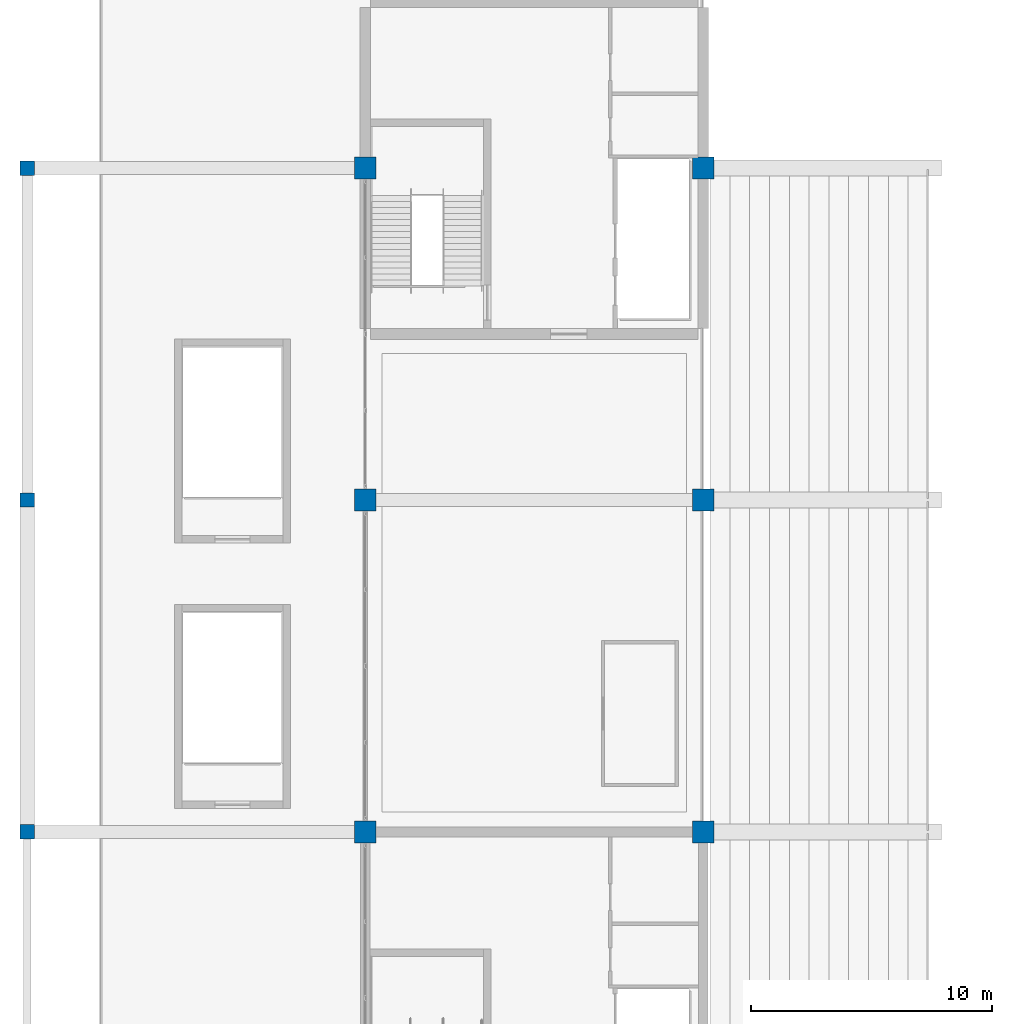
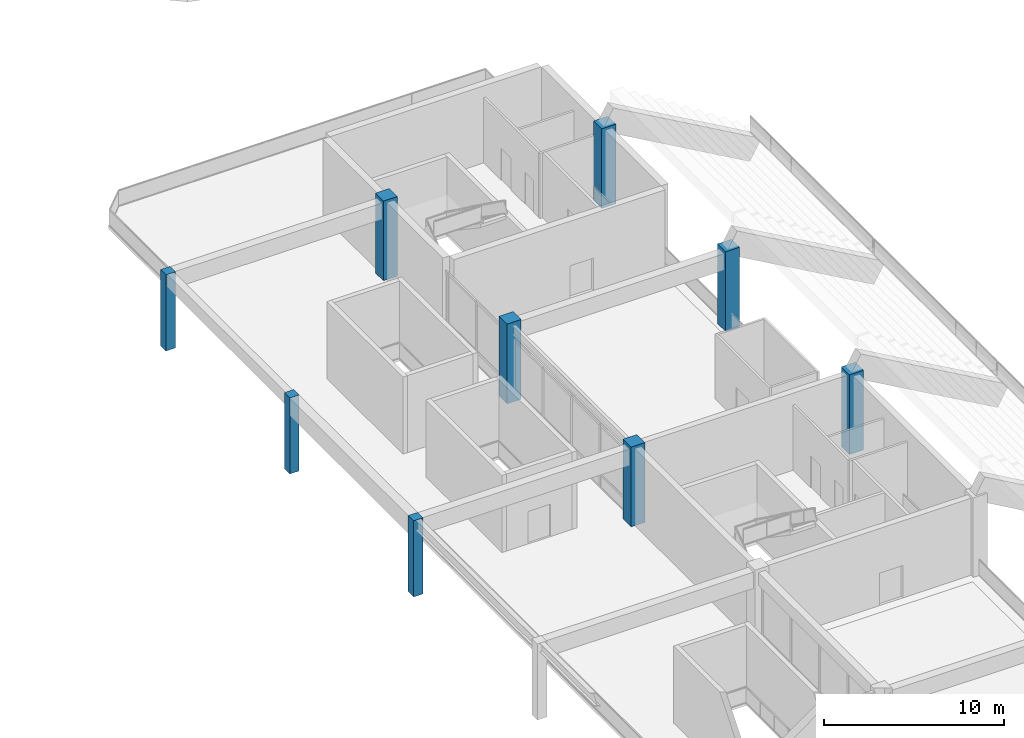
# One storey, part 4 of 90: 9 columns.
"""IFC4 building model written with IfcOpenShell, lengths in metres."""

from ifc_helpers import new_model, si_unit, direction, frame, origin, origin_2d, place, context, subcontext, project, spatial, rectangle, extrude, material, material_profile, profile_set, type_object, element, save


model = new_model("IFC4")

# Units and contexts
model_context = context("Model", 3, precision=1e-05, world=origin(), true_north=direction((0.0, 1.0)))
body_context = subcontext(model_context, "Body", "Model", "MODEL_VIEW")
ifc_project = project(units=[si_unit("LENGTHUNIT", "METRE"), si_unit("AREAUNIT", "SQUARE_METRE"), si_unit("VOLUMEUNIT", "CUBIC_METRE"), si_unit("PLANEANGLEUNIT", "RADIAN"), si_unit("MASSUNIT", "GRAM", prefix="KILO")], contexts=[model_context])

# Site, building, storey
site_placement = place(None, origin())
site = spatial("IfcSite", under=ifc_project, at=site_placement, CompositionType="ELEMENT")
building_placement = place(site_placement, origin())
building = spatial("IfcBuilding", under=site, at=building_placement, Name="Linyun Crest Stadium", CompositionType="ELEMENT")
storey_placement = place(building_placement, frame((0.0, 0.0, 21.0)))
storey = spatial("IfcBuildingStorey", under=building, at=storey_placement, Name="L05", CompositionType="ELEMENT", Elevation=21.0)

# Columns
ifc_material_1 = material(Name="Concrete C50", Category="concrete")
ifc_material_profile_1 = material_profile(ifc_material_1, rectangle(XDim=0.60009765625, YDim=0.60009765625, at=origin_2d()), Name="RC 600x600")
ifc_profile_set_1 = profile_set([ifc_material_profile_1], Name="Concrete C50")
column_type_1 = type_object("IfcColumnType", Name="C01", PredefinedType="COLUMN", material=ifc_profile_set_1)
for number, where, z_axis, x_axis, name in (
    (1, (-98.0, 15.875, 0.0), (0.0, 0.0, 1.0), (1.0, 0.0, 0.0), "Column C01 L05 36"),
    (2, (-98.0, 29.625, 0.0), (0.0, 0.0, 1.0), (1.0, 0.0, 0.0), "Column C01 L05 42"),
    (3, (-98.0, 43.375, 0.0), (0.0, 0.0, 1.0), (1.0, 0.0, 0.0), "Column C01 L05 48"),
):
    element("IfcColumn", number, at=place(storey_placement, frame(where, z_axis=z_axis, x_axis=x_axis)), inside=storey, type_object=column_type_1, Name=name, PredefinedType="COLUMN", context=body_context, shape_type="SweptSolid", body=[
        extrude(rectangle(XDim=0.60009765625, YDim=0.60009765625, at=origin_2d()), origin(), (0.0, 0.0, 1.0), 5.159912109375),
    ])
ifc_material_2 = material(Name="Concrete C50", Category="concrete")
ifc_material_profile_2 = material_profile(ifc_material_2, rectangle(XDim=0.89990234375, YDim=0.89990234375, at=origin_2d()), Name="RC 900x900")
ifc_profile_set_2 = profile_set([ifc_material_profile_2], Name="Concrete C50")
column_type_2 = type_object("IfcColumnType", Name="C04", PredefinedType="COLUMN", material=ifc_profile_set_2)
for number, where, z_axis, x_axis, name in (
    (4, (-84.0, 15.875, 0.0), (0.0, 0.0, 1.0), (1.0, 0.0, 0.0), "Column C04 L05 89"),
    (5, (-84.0, 29.625, 0.0), (0.0, 0.0, 1.0), (1.0, 0.0, 0.0), "Column C04 L05 96"),
    (6, (-84.0, 43.375, 0.0), (0.0, 0.0, 1.0), (1.0, 0.0, 0.0), "Column C04 L05 103"),
    (7, (-70.0, 15.875, 0.0), (0.0, 0.0, 1.0), (1.0, 0.0, 0.0), "Column C04 L05 185"),
    (8, (-70.0, 29.625, 0.0), (0.0, 0.0, 1.0), (1.0, 0.0, 0.0), "Column C04 L05 192"),
    (9, (-70.0, 43.375, 0.0), (0.0, 0.0, 1.0), (1.0, 0.0, 0.0), "Column C04 L05 199"),
):
    element("IfcColumn", number, at=place(storey_placement, frame(where, z_axis=z_axis, x_axis=x_axis)), inside=storey, type_object=column_type_2, Name=name, PredefinedType="COLUMN", context=body_context, shape_type="SweptSolid", body=[
        extrude(rectangle(XDim=0.89990234375, YDim=0.89990234375, at=origin_2d()), origin(), (0.0, 0.0, 1.0), 5.39794921875),
    ])

save(model, "model.ifc")
